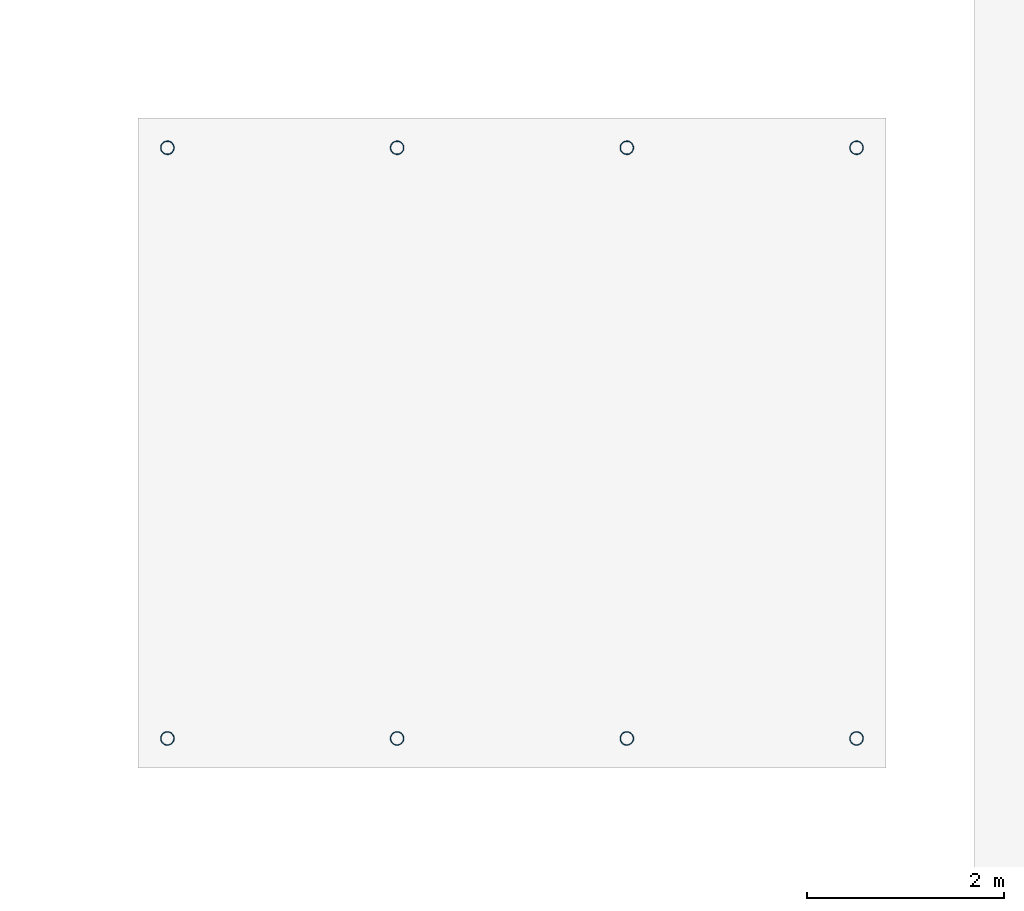
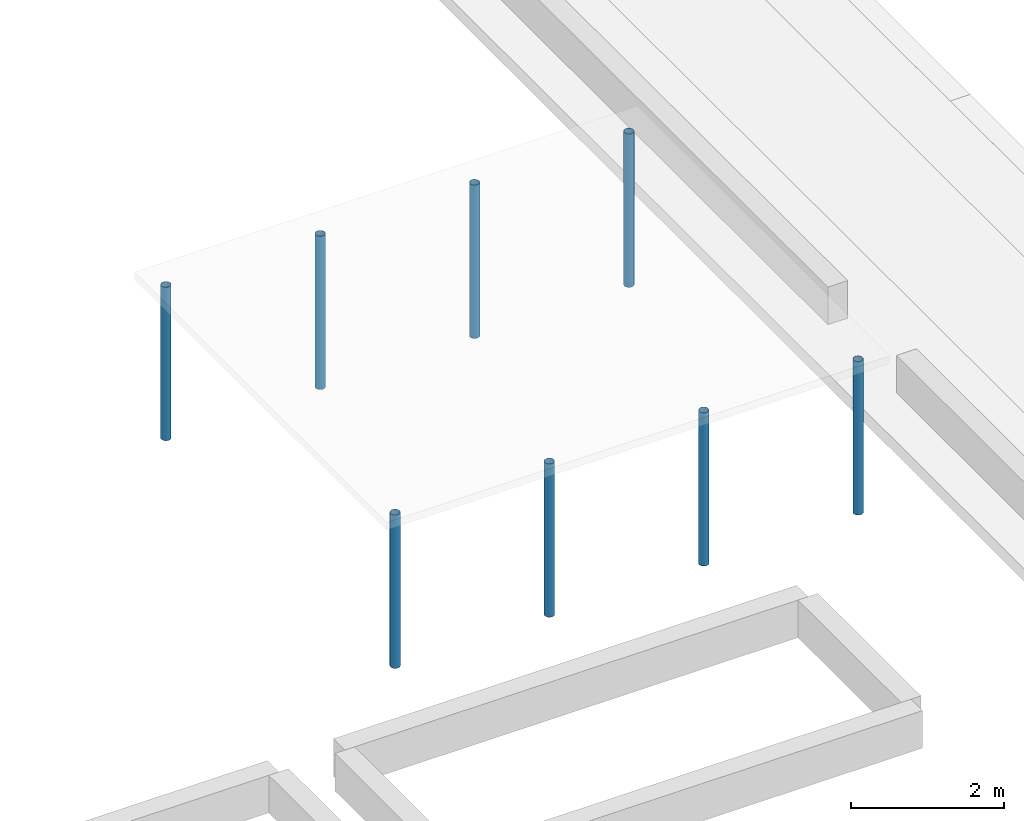
# One storey, part 4 of 71: 8 columns.
"""IFC4 building model written with IfcOpenShell, lengths in metres."""

from ifc_helpers import new_model, si_unit, direction, frame, origin, origin_2d, place, context, subcontext, project, spatial, hollow_circle, extrude, material, material_profile, profile_set, type_object, element, save


model = new_model("IFC4")

# Units and contexts
model_context = context("Model", 3, precision=1e-05, world=origin(), true_north=direction((0.0, 1.0)))
body_context = subcontext(model_context, "Body", "Model", "MODEL_VIEW")
ifc_project = project(units=[si_unit("LENGTHUNIT", "METRE"), si_unit("AREAUNIT", "SQUARE_METRE"), si_unit("VOLUMEUNIT", "CUBIC_METRE"), si_unit("PLANEANGLEUNIT", "RADIAN"), si_unit("MASSUNIT", "GRAM", prefix="KILO")], contexts=[model_context])

# Site, building, storey
site_placement = place(None, origin())
site = spatial("IfcSite", under=ifc_project, at=site_placement, CompositionType="ELEMENT")
building_placement = place(site_placement, origin())
building = spatial("IfcBuilding", under=site, at=building_placement, Name="Basin Gate Institute", CompositionType="ELEMENT")
storey_placement = place(building_placement, origin())
storey = spatial("IfcBuildingStorey", under=building, at=storey_placement, Name="L00", CompositionType="ELEMENT", Elevation=0.0)

# Columns
ifc_material = material(Name="Structural steel SN490", Category="steel")
ifc_material_profile = material_profile(ifc_material, hollow_circle(Radius=0.06982421875, WallThickness=0.006103515625, at=origin_2d()), Name="CHS139x6")
ifc_profile_set = profile_set([ifc_material_profile], Name="Structural steel SN490")
column_type = type_object("IfcColumnType", Name="Court steel TD4 Column column", PredefinedType="COLUMN", material=ifc_profile_set)
for number, where, z_axis, x_axis, name in (
    (1, (144.0, 42.0, -0.050048828125), (0.0, 0.0, 1.0), (1.0, 0.0, 0.0), "Service Court cycle store post"),
    (2, (146.333251953125, 42.0, -0.050048828125), (0.0, 0.0, 1.0), (1.0, 0.0, 0.0), "Service Court cycle store post"),
    (3, (148.666748046875, 42.0, -0.050048828125), (0.0, 0.0, 1.0), (1.0, 0.0, 0.0), "Service Court cycle store post"),
    (4, (151.0, 42.0, -0.050048828125), (0.0, 0.0, 1.0), (1.0, 0.0, 0.0), "Service Court cycle store post"),
    (5, (144.0, 48.0, -0.050048828125), (0.0, 0.0, 1.0), (1.0, 0.0, 0.0), "Service Court cycle store post"),
    (6, (146.333251953125, 48.0, -0.050048828125), (0.0, 0.0, 1.0), (1.0, 0.0, 0.0), "Service Court cycle store post"),
    (7, (148.666748046875, 48.0, -0.050048828125), (0.0, 0.0, 1.0), (1.0, 0.0, 0.0), "Service Court cycle store post"),
    (8, (151.0, 48.0, -0.050048828125), (0.0, 0.0, 1.0), (1.0, 0.0, 0.0), "Service Court cycle store post"),
):
    element("IfcColumn", number, at=place(storey_placement, frame(where, z_axis=z_axis, x_axis=x_axis)), inside=storey, type_object=column_type, material=ifc_profile_set, Name=name, PredefinedType="COLUMN", context=body_context, shape_type="SweptSolid", body=[
        extrude(hollow_circle(Radius=0.06982421875, WallThickness=0.006103515625, at=origin_2d()), origin(), (0.0, 0.0, 1.0), 2.449951171875),
    ])

save(model, "model.ifc")
